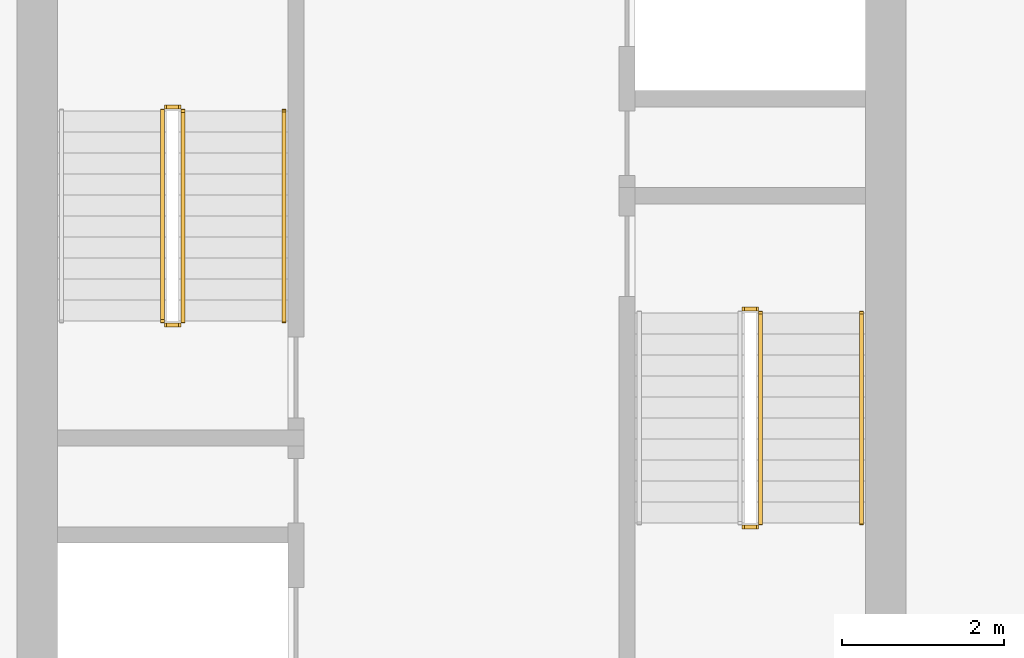
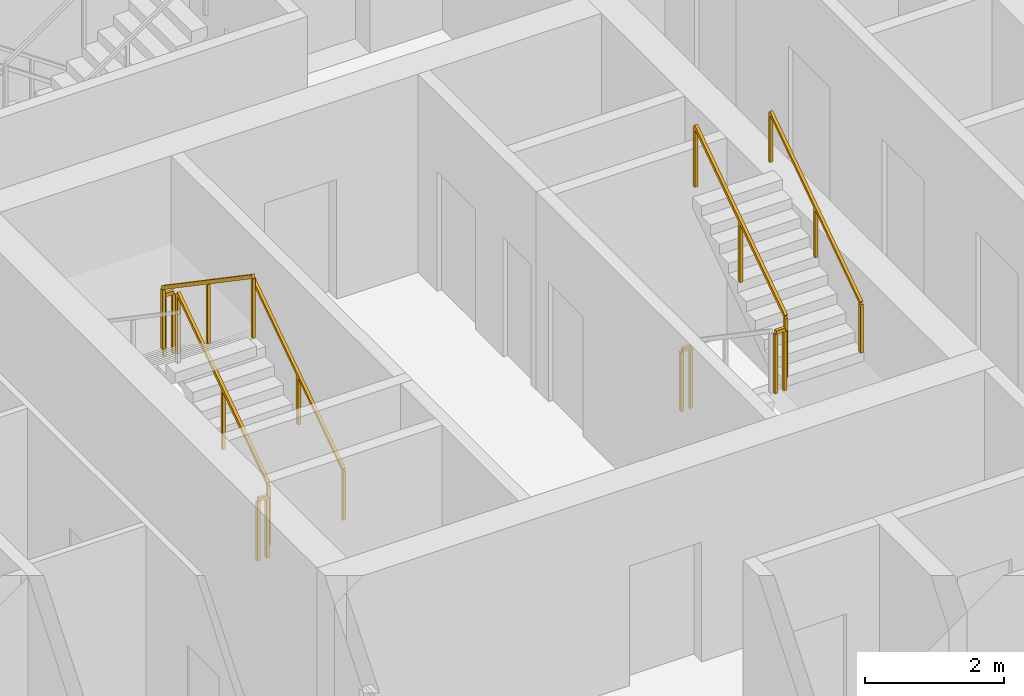
# One storey, part 13 of 16: 9 railings.
"""IFC4 building model written with IfcOpenShell, lengths in metres."""

from ifc_helpers import new_model, si_unit, direction, frame, origin, origin_2d, place, context, subcontext, project, spatial, rectangle, extrude, material, type_object, element, save


model = new_model("IFC4")

# Units and contexts
model_context = context("Model", 3, precision=1e-05, world=origin(), true_north=direction((0.0, 1.0)))
body_context = subcontext(model_context, "Body", "Model", "MODEL_VIEW")
ifc_project = project(units=[si_unit("LENGTHUNIT", "METRE"), si_unit("AREAUNIT", "SQUARE_METRE"), si_unit("VOLUMEUNIT", "CUBIC_METRE"), si_unit("PLANEANGLEUNIT", "RADIAN"), si_unit("MASSUNIT", "GRAM", prefix="KILO")], contexts=[model_context])

# Site, building, storey
site_placement = place(None, origin())
site = spatial("IfcSite", under=ifc_project, at=site_placement, CompositionType="ELEMENT")
building_placement = place(site_placement, origin())
building = spatial("IfcBuilding", under=site, at=building_placement, Name="Khepri Terraces", CompositionType="ELEMENT")
storey_placement = place(building_placement, frame((0.0, 0.0, 149.39990234375)))
storey = spatial("IfcBuildingStorey", under=building, at=storey_placement, Name="L35", CompositionType="ELEMENT", Elevation=149.39990234375)

# Railings
ifc_material = material(Name="Stainless steel 316", Category="steel")
railing_type_1 = type_object("IfcRailingType", Name="RL-CORE-GUARD", PredefinedType="GUARDRAIL", material=ifc_material)
railing_1_placement = place(storey_placement, frame((-3.449951171875, -0.050048828125, 0.177490234375)))
element("IfcRailing", 1, at=railing_1_placement, inside=storey, type_object=railing_type_1, Name="L35 ST-1 stair guard 1", PredefinedType="GUARDRAIL", context=body_context, shape_type="SweptSolid", body=[
    extrude(rectangle(XDim=0.050048828125, YDim=0.06005859375, at=origin_2d()), frame((0.0, 0.0, 1.070068359375), z_axis=(0.0, 0.826240473404, 0.563317565952), x_axis=(-1.0, 0.0, 0.0)), (0.0, 0.0, 1.0), 3.14697265625),
    extrude(rectangle(XDim=0.050048828125, YDim=0.050048828125, at=origin_2d()), origin(), (0.0, 0.0, 1.0), 1.0400390625),
    extrude(rectangle(XDim=0.050048828125, YDim=0.050048828125, at=origin_2d()), frame((0.0, 1.300048828125, 0.88623046875)), (0.0, 0.0, 1.0), 1.0400390625),
    extrude(rectangle(XDim=0.050048828125, YDim=0.050048828125, at=origin_2d()), frame((0.0, 2.60009765625, 1.772705078125)), (0.0, 0.0, 1.0), 1.0400390625),
])
railing_2_placement = place(storey_placement, frame((-3.5, 2.60009765625, 1.9501953125)))
element("IfcRailing", 2, at=railing_2_placement, inside=storey, type_object=railing_type_1, Name="L35 ST-1 stair guard 2", PredefinedType="GUARDRAIL", context=body_context, shape_type="SweptSolid", body=[
    extrude(rectangle(XDim=0.050048828125, YDim=0.06005859375, at=origin_2d()), frame((0.0, 0.0, 1.070068359375), z_axis=(-1.0, 0.0, 0.0), x_axis=(0.0, -1.0, 0.0)), (0.0, 0.0, 1.0), 0.14990234375),
    extrude(rectangle(XDim=0.050048828125, YDim=0.050048828125, at=origin_2d()), origin(), (0.0, 0.0, 1.0), 1.0400390625),
    extrude(rectangle(XDim=0.050048828125, YDim=0.050048828125, at=origin_2d()), frame((-0.14990234375, 0.0, 0.0)), (0.0, 0.0, 1.0), 1.0400390625),
])
railing_3_placement = place(storey_placement, frame((-3.699951171875, 2.550048828125, 2.12744140625)))
element("IfcRailing", 3, at=railing_3_placement, inside=storey, type_object=railing_type_1, Name="L35 ST-1 stair guard 3", PredefinedType="GUARDRAIL", context=body_context, shape_type="SweptSolid", body=[
    extrude(rectangle(XDim=0.050048828125, YDim=0.06005859375, at=origin_2d()), frame((0.0, 0.0, 1.070068359375), z_axis=(0.0, -0.826240473404, 0.563317565952), x_axis=(1.0, 0.0, 0.0)), (0.0, 0.0, 1.0), 3.14697265625),
    extrude(rectangle(XDim=0.050048828125, YDim=0.050048828125, at=origin_2d()), origin(), (0.0, 0.0, 1.0), 1.0400390625),
    extrude(rectangle(XDim=0.050048828125, YDim=0.050048828125, at=origin_2d()), frame((0.0, -1.300048828125, 0.88623046875)), (0.0, 0.0, 1.0), 1.0400390625),
    extrude(rectangle(XDim=0.050048828125, YDim=0.050048828125, at=origin_2d()), frame((0.0, -2.60009765625, 1.772705078125)), (0.0, 0.0, 1.0), 1.0400390625),
])
railing_4_placement = place(storey_placement, frame((-3.5, -0.10009765625, 0.0)))
element("IfcRailing", 4, at=railing_4_placement, inside=storey, type_object=railing_type_1, Name="L35 ST-1 stair guard 4", PredefinedType="GUARDRAIL", context=body_context, shape_type="SweptSolid", body=[
    extrude(rectangle(XDim=0.050048828125, YDim=0.06005859375, at=origin_2d()), frame((0.0, 0.0, 1.070068359375), z_axis=(-1.0, 0.0, 0.0), x_axis=(0.0, -1.0, 0.0)), (0.0, 0.0, 1.0), 0.14990234375),
    extrude(rectangle(XDim=0.050048828125, YDim=0.050048828125, at=origin_2d()), origin(), (0.0, 0.0, 1.0), 1.0400390625),
    extrude(rectangle(XDim=0.050048828125, YDim=0.050048828125, at=origin_2d()), frame((-0.14990234375, 0.0, 0.0)), (0.0, 0.0, 1.0), 1.0400390625),
])
railing_5_placement = place(storey_placement, frame((3.5, -2.60009765625, 1.9501953125)))
element("IfcRailing", 5, at=railing_5_placement, inside=storey, type_object=railing_type_1, Name="L35 ST-2 stair guard 2", PredefinedType="GUARDRAIL", context=body_context, shape_type="SweptSolid", body=[
    extrude(rectangle(XDim=0.050048828125, YDim=0.06005859375, at=origin_2d()), frame((0.0, 0.0, 1.070068359375), z_axis=(1.0, 0.0, 0.0), x_axis=(0.0, 1.0, 0.0)), (0.0, 0.0, 1.0), 0.14990234375),
    extrude(rectangle(XDim=0.050048828125, YDim=0.050048828125, at=origin_2d()), origin(), (0.0, 0.0, 1.0), 1.0400390625),
    extrude(rectangle(XDim=0.050048828125, YDim=0.050048828125, at=origin_2d()), frame((0.14990234375, 0.0, 0.0)), (0.0, 0.0, 1.0), 1.0400390625),
])
railing_6_placement = place(storey_placement, frame((3.699951171875, -2.550048828125, 2.12744140625)))
element("IfcRailing", 6, at=railing_6_placement, inside=storey, type_object=railing_type_1, Name="L35 ST-2 stair guard 3", PredefinedType="GUARDRAIL", context=body_context, shape_type="SweptSolid", body=[
    extrude(rectangle(XDim=0.050048828125, YDim=0.06005859375, at=origin_2d()), frame((0.0, 0.0, 1.070068359375), z_axis=(0.0, 0.826240473404, 0.563317565952), x_axis=(-1.0, 0.0, 0.0)), (0.0, 0.0, 1.0), 3.14697265625),
    extrude(rectangle(XDim=0.050048828125, YDim=0.050048828125, at=origin_2d()), origin(), (0.0, 0.0, 1.0), 1.0400390625),
    extrude(rectangle(XDim=0.050048828125, YDim=0.050048828125, at=origin_2d()), frame((0.0, 1.300048828125, 0.88623046875)), (0.0, 0.0, 1.0), 1.0400390625),
    extrude(rectangle(XDim=0.050048828125, YDim=0.050048828125, at=origin_2d()), frame((0.0, 2.60009765625, 1.772705078125)), (0.0, 0.0, 1.0), 1.0400390625),
])
railing_7_placement = place(storey_placement, frame((3.5, 0.10009765625, 0.0)))
element("IfcRailing", 7, at=railing_7_placement, inside=storey, type_object=railing_type_1, Name="L35 ST-2 stair guard 4", PredefinedType="GUARDRAIL", context=body_context, shape_type="SweptSolid", body=[
    extrude(rectangle(XDim=0.050048828125, YDim=0.06005859375, at=origin_2d()), frame((0.0, 0.0, 1.070068359375), z_axis=(1.0, 0.0, 0.0), x_axis=(0.0, 1.0, 0.0)), (0.0, 0.0, 1.0), 0.14990234375),
    extrude(rectangle(XDim=0.050048828125, YDim=0.050048828125, at=origin_2d()), origin(), (0.0, 0.0, 1.0), 1.0400390625),
    extrude(rectangle(XDim=0.050048828125, YDim=0.050048828125, at=origin_2d()), frame((0.14990234375, 0.0, 0.0)), (0.0, 0.0, 1.0), 1.0400390625),
])
railing_type_2 = type_object("IfcRailingType", Name="RL-CORE-HANDRAIL", PredefinedType="HANDRAIL", material=ifc_material)
for number, where, name in (
    (8, (-2.199951171875, -0.050048828125, 0.177490234375), "L35 ST-1 stair handrail 1"),
    (9, (4.949951171875, -2.550048828125, 2.12744140625), "L35 ST-2 stair handrail 2"),
):
    element("IfcRailing", number, at=place(storey_placement, frame(where)), inside=storey, type_object=railing_type_2, Name=name, PredefinedType="HANDRAIL", context=body_context, shape_type="SweptSolid", body=[
        extrude(rectangle(XDim=0.050048828125, YDim=0.050048828125, at=origin_2d()), frame((0.0, 0.0, 0.875), z_axis=(0.0, 0.826240473404, 0.563317565952), x_axis=(-1.0, 0.0, 0.0)), (0.0, 0.0, 1.0), 3.14697265625),
        extrude(rectangle(XDim=0.050048828125, YDim=0.050048828125, at=origin_2d()), origin(), (0.0, 0.0, 1.0), 0.849853515625),
        extrude(rectangle(XDim=0.050048828125, YDim=0.050048828125, at=origin_2d()), frame((0.0, 1.300048828125, 0.88623046875)), (0.0, 0.0, 1.0), 0.849853515625),
        extrude(rectangle(XDim=0.050048828125, YDim=0.050048828125, at=origin_2d()), frame((0.0, 2.60009765625, 1.772705078125)), (0.0, 0.0, 1.0), 0.849853515625),
    ])

save(model, "model.ifc")
